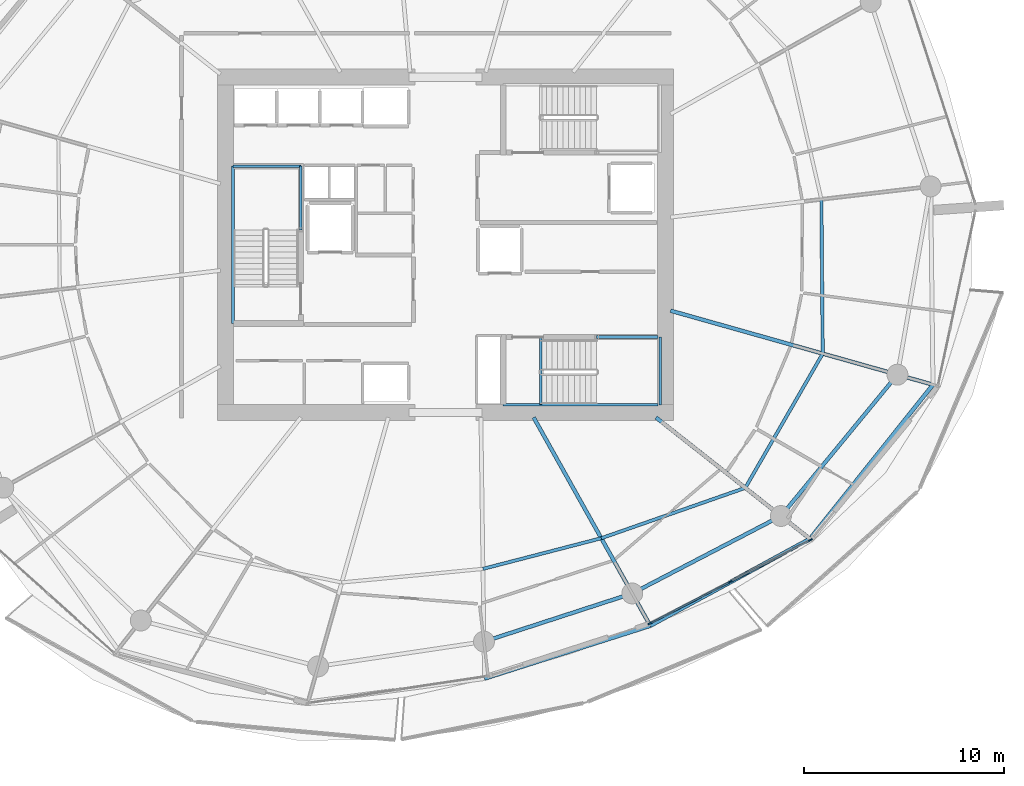
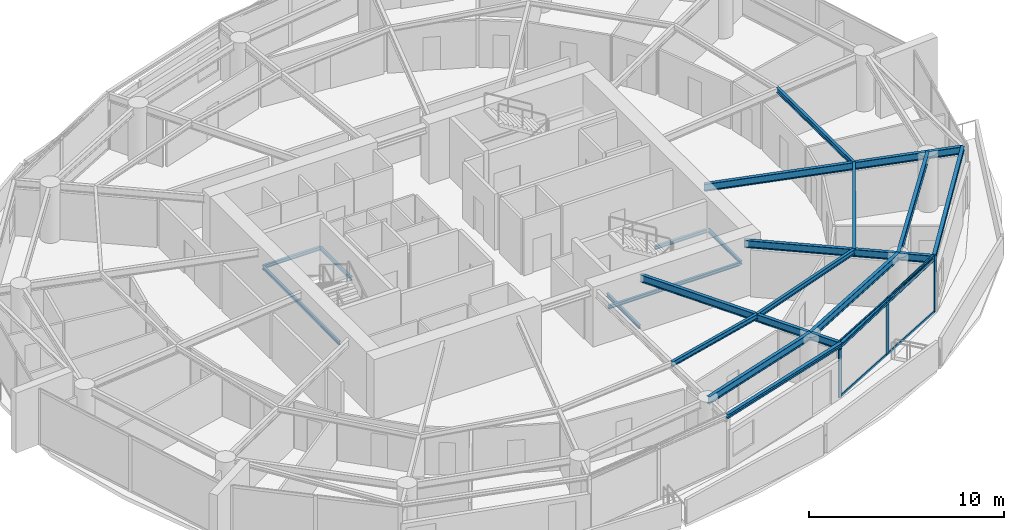
# One storey, part 6 of 20: 20 beams, 7 members, 1 element without a shape of its own.
"""IFC4 building model written with IfcOpenShell, lengths in metres."""

import ifcopenshell
import ifcopenshell.guid

model = None  # the IFC model being written
_history = None  # IfcOwnerHistory: only IFC2X3 demands one
_inside = {}  # id of a spatial element -> (the spatial element, [elements in it])
_under = {}  # id of a project, library or spatial element -> (it, [spatial elements below it])
_declared = {}  # id of a project -> (the project, [libraries it declares])
_typed = {}  # id of a type object -> (the type object, [elements of that type])
_made_of = {}  # id of a material, layer set ... -> (it, [elements and type objects made of it])


def new_model(schema):
    """Start an empty IFC model of exactly this schema.

    Asked for "IFC4X3", IfcOpenShell would pick the latest addendum, in which some entities
    have other attributes; the version numbers below select the first issue.
    IFC2X3 requires an IfcOwnerHistory on every rooted entity: one is made here for all.
    """
    global model, _history
    if schema == "IFC4X3":
        model = ifcopenshell.file(schema_version=(4, 3, 0, 0))
    else:
        model = ifcopenshell.file(schema=schema)
    _inside.clear()
    _under.clear()
    _declared.clear()
    _typed.clear()
    _made_of.clear()
    _history = None
    if model.schema == "IFC2X3":
        org = make("IfcOrganization", Name="unknown")
        user = make(
            "IfcPersonAndOrganization",
            ThePerson=make("IfcPerson", FamilyName="unknown"),
            TheOrganization=org,
        )
        app = make(
            "IfcApplication",
            ApplicationDeveloper=org,
            Version="unknown",
            ApplicationFullName="unknown",
            ApplicationIdentifier="unknown",
        )
        _history = make(
            "IfcOwnerHistory",
            OwningUser=user,
            OwningApplication=app,
            ChangeAction="ADDED",
            CreationDate=0,
        )
    return model


def make(cls, **values):
    """One entity of the class cls with the attributes given. An attribute that is None is left unset."""
    return model.create_entity(
        cls, **{name: value for name, value in values.items() if value is not None}
    )


def rooted(cls, **values):
    """An entity with a GlobalId (a new one), such as an element, a storey or a relation."""
    return make(cls, GlobalId=ifcopenshell.guid.new(), OwnerHistory=_history, **values)


def si_unit(unit_type, name, prefix=None):
    """IfcSIUnit, for example si_unit("LENGTHUNIT", "METRE", prefix="MILLI")."""
    return make("IfcSIUnit", UnitType=unit_type, Prefix=prefix, Name=name)


def assignment(units):
    """IfcUnitAssignment: the units of a project."""
    return None if units is None else make("IfcUnitAssignment", Units=units)


def point(xyz):
    """IfcCartesianPoint."""
    return None if xyz is None else make("IfcCartesianPoint", Coordinates=xyz)


def direction(xyz):
    """IfcDirection."""
    return None if xyz is None else make("IfcDirection", DirectionRatios=xyz)


def frame(location, z_axis=None, x_axis=None):
    """IfcAxis2Placement3D, a coordinate frame: its origin and axes. An axis left out is left unset."""
    return make(
        "IfcAxis2Placement3D",
        Location=point(location),
        Axis=direction(z_axis),
        RefDirection=direction(x_axis),
    )


def frame_2d(location, x_axis=None):
    """IfcAxis2Placement2D, a coordinate frame in the plane: its origin and x axis."""
    return make(
        "IfcAxis2Placement2D", Location=point(location), RefDirection=direction(x_axis)
    )


def origin():
    """The frame at (0, 0, 0) with its axes left unset."""
    return frame((0.0, 0.0, 0.0))


def origin_2d():
    """The frame at (0, 0) in the plane with its x axis left unset."""
    return frame_2d((0.0, 0.0))


def place(relative_to, where):
    """IfcLocalPlacement: puts the frame where relative to a parent placement (None: the world)."""
    return make(
        "IfcLocalPlacement", PlacementRelTo=relative_to, RelativePlacement=where
    )


def context(
    kind, dimensions, precision=None, world=None, true_north=None, identifier=None
):
    """IfcGeometricRepresentationContext, for example the 3D "Model" context."""
    return make(
        "IfcGeometricRepresentationContext",
        ContextIdentifier=identifier,
        ContextType=kind,
        CoordinateSpaceDimension=dimensions,
        Precision=precision,
        WorldCoordinateSystem=world,
        TrueNorth=true_north,
    )


def subcontext(parent, identifier, kind, view, scale=None):
    """IfcGeometricRepresentationSubContext, for example "Body" below "Model"."""
    return make(
        "IfcGeometricRepresentationSubContext",
        ContextIdentifier=identifier,
        ContextType=kind,
        ParentContext=parent,
        TargetScale=scale,
        TargetView=view,
    )


def project(units=None, contexts=None):
    """IfcProject with its units and contexts."""
    return rooted(
        "IfcProject",
        Name="project",
        RepresentationContexts=contexts,
        UnitsInContext=assignment(units),
    )


def spatial(cls, under=None, at=None, **own):
    """A site, building, storey or space (cls), placed at a placement, below another one or the project."""
    s = rooted(cls, ObjectPlacement=at, **own)
    if under is not None:
        _under.setdefault(under.id(), (under, []))[1].append(s)
    return s


def profile(cls, at=None, kind="AREA", **sizes):
    """A parametric profile (cls). Its sizes go by their IFC names, for example OverallWidth=200.0."""
    return make(cls, ProfileType=kind, Position=at, **sizes)


def rectangle(**sizes):
    """IfcRectangleProfileDef."""
    return profile("IfcRectangleProfileDef", **sizes)


def i_section(**sizes):
    """IfcIShapeProfileDef."""
    return profile("IfcIShapeProfileDef", **sizes)


def extrude(swept, where, along, depth):
    """IfcExtrudedAreaSolid: the profile swept, set in the frame where, extruded along a direction by depth."""
    return make(
        "IfcExtrudedAreaSolid",
        SweptArea=swept,
        Position=where,
        ExtrudedDirection=direction(along),
        Depth=depth,
    )


def shape(context_of_items, identifier, shape_type, items):
    """IfcShapeRepresentation: the items that make up one representation, for example the "Body"."""
    return make(
        "IfcShapeRepresentation",
        ContextOfItems=context_of_items,
        RepresentationIdentifier=identifier,
        RepresentationType=shape_type,
        Items=items,
    )


def material(Name=None, Category=None):
    """IfcMaterial."""
    return make("IfcMaterial", Name=Name, Category=Category)


def layer(
    of_material, thickness, ventilated=None, Name=None, Category=None, Priority=None
):
    """IfcMaterialLayer: one layer of a wall or slab, of a material (None: an air gap)."""
    return make(
        "IfcMaterialLayer",
        Material=of_material,
        LayerThickness=thickness,
        IsVentilated=ventilated,
        Name=Name,
        Category=Category,
        Priority=Priority,
    )


def layer_set(layers, Name=None):
    """IfcMaterialLayerSet."""
    return make("IfcMaterialLayerSet", MaterialLayers=layers, LayerSetName=Name)


def material_profile(
    of_material, cross_section, Name=None, Category=None, Priority=None
):
    """IfcMaterialProfile: a cross section and its material."""
    return make(
        "IfcMaterialProfile",
        Name=Name,
        Material=of_material,
        Profile=cross_section,
        Priority=Priority,
        Category=Category,
    )


def profile_set(profiles, Name=None, composite=None):
    """IfcMaterialProfileSet."""
    return make(
        "IfcMaterialProfileSet",
        Name=Name,
        MaterialProfiles=profiles,
        CompositeProfile=composite,
    )


def made_of(thing, what):
    """Note that an element or type object is made of a material, layer set ...; save() writes the relation."""
    if what is not None:
        _made_of.setdefault(what.id(), (what, []))[1].append(thing)
    return thing


def type_object(cls, material=None, **own):
    """A type object (cls), such as IfcWallType, which elements share."""
    return made_of(rooted(cls, **own), material)


def element(
    cls,
    number,
    at=None,
    inside=None,
    cuts=None,
    type_object=None,
    material=None,
    context=None,
    identifier="Body",
    shape_type=None,
    held_by="IfcProductDefinitionShape",
    body=None,
    shapes=None,
    **own,
):
    """One element of the class cls, such as IfcWall. Its Tag is "e" and its number.

    at: its placement. inside: the storey or other place that contains it. cuts: it is an
    opening in that element (IfcRelVoidsElement). A single representation is given by context,
    identifier, shape_type and body (its items); several are given by shapes. held_by: the class
    of the entity that holds the representations. save() writes the other relations.
    """
    e = rooted(cls, Tag="e%d" % number, ObjectPlacement=at, **own)
    if body is not None:
        shapes = [shape(context, identifier, shape_type, body)]
    if shapes is not None:
        e.Representation = make(held_by, Representations=shapes)
    if inside is not None:
        _inside.setdefault(inside.id(), (inside, []))[1].append(e)
    if cuts is not None:
        rooted(
            "IfcRelVoidsElement", RelatingBuildingElement=cuts, RelatedOpeningElement=e
        )
    if type_object is not None:
        _typed.setdefault(type_object.id(), (type_object, []))[1].append(e)
    return made_of(e, material)


def aggregate(whole, parts):
    """IfcRelAggregates: a whole, such as a stair, and the parts it consists of."""
    return rooted("IfcRelAggregates", RelatingObject=whole, RelatedObjects=parts)


def save(model, path):
    """Write the relations noted so far, then the file.

    IfcRelAggregates (storeys below a building ...), IfcRelContainedInSpatialStructure (elements
    in a storey), IfcRelDefinesByType, IfcRelAssociatesMaterial and IfcRelDeclares: one each for
    every whole, place, type object, material and project.
    """
    for whole, parts in _under.values():
        aggregate(whole, parts)
    for where, things in _inside.values():
        rooted(
            "IfcRelContainedInSpatialStructure",
            RelatedElements=things,
            RelatingStructure=where,
        )
    for kind, things in _typed.values():
        rooted("IfcRelDefinesByType", RelatedObjects=things, RelatingType=kind)
    for what, things in _made_of.values():
        rooted("IfcRelAssociatesMaterial", RelatedObjects=things, RelatingMaterial=what)
    for by, libraries in _declared.values():
        rooted("IfcRelDeclares", RelatingContext=by, RelatedDefinitions=libraries)
    model.write(path)


model = new_model("IFC4")

# Units and contexts
model_context = context("Model", 3, precision=1e-05, world=origin(), true_north=direction((0.0, 1.0)))
body_context = subcontext(model_context, "Body", "Model", "MODEL_VIEW")
ifc_project = project(units=[si_unit("LENGTHUNIT", "METRE"), si_unit("AREAUNIT", "SQUARE_METRE"), si_unit("VOLUMEUNIT", "CUBIC_METRE"), si_unit("PLANEANGLEUNIT", "RADIAN"), si_unit("MASSUNIT", "GRAM", prefix="KILO")], contexts=[model_context])

# Site, building, storey
site_placement = place(None, origin())
site = spatial("IfcSite", under=ifc_project, at=site_placement, CompositionType="ELEMENT")
building_placement = place(site_placement, origin())
building = spatial("IfcBuilding", under=site, at=building_placement, Name="Kazma Halo Residences", CompositionType="ELEMENT")
storey_placement = place(building_placement, frame((0.0, 0.0, 135.300048828125)))
storey = spatial("IfcBuildingStorey", under=building, at=storey_placement, Name="L33", CompositionType="ELEMENT", Elevation=135.300048828125)

# Beams
ifc_material_1 = material(Name="Steel S355", Category="steel")
ifc_material_profile_1 = material_profile(ifc_material_1, i_section(OverallWidth=0.201904296875, OverallDepth=0.2470703125, WebThickness=0.00732421875, FlangeThickness=0.010986328125, FilletRadius=0.011962890625, at=origin_2d()), Name="W250x49.1")
ifc_profile_set_1 = profile_set([ifc_material_profile_1], Name="Steel S355")
beam_type_1 = type_object("IfcBeamType", Name="BM-BAL-CANT", PredefinedType="BEAM", material=ifc_profile_set_1)
beam_1_placement = place(storey_placement, frame((50.37841796875, 20.269287109375, 3.37646484375), z_axis=(0.952724066304, 0.303836886315, 0.0), x_axis=(-0.303836886315, 0.952724066304, 0.0)))
element("IfcBeam", 1, at=beam_1_placement, inside=storey, type_object=beam_type_1, Name="L33 wave-balcony tie beam 12", PredefinedType="BEAM", context=body_context, shape_type="SweptSolid", body=[
    extrude(i_section(OverallWidth=0.201904296875, OverallDepth=0.2470703125, WebThickness=0.00732421875, FlangeThickness=0.010986328125, FilletRadius=0.011962890625, at=origin_2d()), origin(), (0.0, 0.0, 1.0), 8.719970703125),
])
beam_2_placement = place(storey_placement, frame((58.68603515625, 22.918701171875, 3.37646484375), z_axis=(0.878572913315, 0.477608245312, 0.0), x_axis=(-0.477608245312, 0.878572913315, 0.0)))
element("IfcBeam", 2, at=beam_2_placement, inside=storey, type_object=beam_type_1, Name="L33 wave-balcony tie beam 13", PredefinedType="BEAM", context=body_context, shape_type="SweptSolid", body=[
    extrude(i_section(OverallWidth=0.201904296875, OverallDepth=0.2470703125, WebThickness=0.00732421875, FlangeThickness=0.010986328125, FilletRadius=0.011962890625, at=origin_2d()), origin(), (0.0, 0.0, 1.0), 9.107177734375),
])
beam_3_placement = place(storey_placement, frame((66.687255859375, 27.268310546875, 3.37646484375), z_axis=(0.623742400336, 0.781629975131, 0.0), x_axis=(-0.781629975131, 0.623742400336, 0.0)))
element("IfcBeam", 3, at=beam_3_placement, inside=storey, type_object=beam_type_1, Name="L33 wave-balcony tie beam 14", PredefinedType="BEAM", context=body_context, shape_type="SweptSolid", body=[
    extrude(i_section(OverallWidth=0.201904296875, OverallDepth=0.2470703125, WebThickness=0.00732421875, FlangeThickness=0.010986328125, FilletRadius=0.011962890625, at=origin_2d()), origin(), (0.0, 0.0, 1.0), 9.880859375),
])
ifc_material_profile_2 = material_profile(ifc_material_1, i_section(OverallWidth=0.18994140625, OverallDepth=0.45703125, WebThickness=0.009033203125, FlangeThickness=0.014404296875, FilletRadius=0.01611328125, at=origin_2d()), Name="W460x74")
ifc_profile_set_2 = profile_set([ifc_material_profile_2], Name="Steel S355")
beam_type_2 = type_object("IfcBeamType", Name="BM-RAD-W460", PredefinedType="BEAM", material=ifc_profile_set_2)
beam_4_placement = place(storey_placement, frame((52.84423828125, 33.35009765625, 3.271484375), z_axis=(0.488617048735, -0.872498355119, 0.0), x_axis=(0.872498355119, 0.488617048735, 0.0)))
element("IfcBeam", 4, at=beam_4_placement, inside=storey, type_object=beam_type_2, Name="L33 radial floor beam 13", PredefinedType="BEAM", context=body_context, shape_type="SweptSolid", body=[
    extrude(i_section(OverallWidth=0.18994140625, OverallDepth=0.45703125, WebThickness=0.009033203125, FlangeThickness=0.014404296875, FilletRadius=0.01611328125, at=origin_2d()), origin(), (0.0, 0.0, 1.0), 11.955810546875),
])
beam_5_placement = place(storey_placement, frame((58.972412109375, 33.35009765625, 3.271484375), z_axis=(0.785322142498, -0.619087338347, 0.0), x_axis=(0.619087338347, 0.785322142498, 0.0)))
element("IfcBeam", 5, at=beam_5_placement, inside=storey, type_object=beam_type_2, Name="L33 radial floor beam 14", PredefinedType="BEAM", context=body_context, shape_type="SweptSolid", body=[
    extrude(i_section(OverallWidth=0.18994140625, OverallDepth=0.45703125, WebThickness=0.009033203125, FlangeThickness=0.014404296875, FilletRadius=0.01611328125, at=origin_2d()), origin(), (0.0, 0.0, 1.0), 9.82373046875),
])
beam_6_placement = place(storey_placement, frame((59.699951171875, 38.7001953125, 3.271484375), z_axis=(0.962456259321, -0.271436823024, 0.0), x_axis=(0.271436823024, 0.962456259321, 0.0)))
element("IfcBeam", 6, at=beam_6_placement, inside=storey, type_object=beam_type_2, Name="L33 radial floor beam 15", PredefinedType="BEAM", context=body_context, shape_type="SweptSolid", body=[
    extrude(i_section(OverallWidth=0.18994140625, OverallDepth=0.45703125, WebThickness=0.009033203125, FlangeThickness=0.014404296875, FilletRadius=0.01611328125, at=origin_2d()), origin(), (0.0, 0.0, 1.0), 13.663330078125),
])
ifc_material_profile_3 = material_profile(ifc_material_1, i_section(OverallWidth=0.1650390625, OverallDepth=0.31005859375, WebThickness=0.005859375, FlangeThickness=0.009765625, FilletRadius=0.011962890625, at=origin_2d()), Name="W310x38.7")
ifc_profile_set_3 = profile_set([ifc_material_profile_3], Name="Steel S355")
beam_type_3 = type_object("IfcBeamType", Name="BM-SEC-W310B", PredefinedType="JOIST", material=ifc_profile_set_3)
beam_7_placement = place(storey_placement, frame((50.303466796875, 25.76318359375, 3.344970703125), z_axis=(0.968017337658, 0.250883307524, 0.0), x_axis=(-0.250883307524, 0.968017337658, 0.0)))
element("IfcBeam", 7, at=beam_7_placement, inside=storey, type_object=beam_type_3, Name="L33 circumferential floor joist 12", PredefinedType="JOIST", context=body_context, shape_type="SweptSolid", body=[
    extrude(i_section(OverallWidth=0.1650390625, OverallDepth=0.31005859375, WebThickness=0.005859375, FlangeThickness=0.009765625, FilletRadius=0.011962890625, at=origin_2d()), origin(), (0.0, 0.0, 1.0), 6.124755859375),
])
beam_8_placement = place(storey_placement, frame((56.232421875, 27.2998046875, 3.344970703125), z_axis=(0.943956421223, 0.330070105935, 0.0), x_axis=(-0.330070105935, 0.943956421223, 0.0)))
element("IfcBeam", 8, at=beam_8_placement, inside=storey, type_object=beam_type_3, Name="L33 circumferential floor joist 13", PredefinedType="JOIST", context=body_context, shape_type="SweptSolid", body=[
    extrude(i_section(OverallWidth=0.1650390625, OverallDepth=0.31005859375, WebThickness=0.005859375, FlangeThickness=0.009765625, FilletRadius=0.011962890625, at=origin_2d()), origin(), (0.0, 0.0, 1.0), 7.642822265625),
])
beam_9_placement = place(storey_placement, frame((63.447021484375, 29.822509765625, 3.344970703125), z_axis=(0.499666203496, 0.866218035533, 0.0), x_axis=(-0.866218035533, 0.499666203496, 0.0)))
element("IfcBeam", 9, at=beam_9_placement, inside=storey, type_object=beam_type_3, Name="L33 circumferential floor joist 14", PredefinedType="JOIST", context=body_context, shape_type="SweptSolid", body=[
    extrude(i_section(OverallWidth=0.1650390625, OverallDepth=0.31005859375, WebThickness=0.005859375, FlangeThickness=0.009765625, FilletRadius=0.011962890625, at=origin_2d()), origin(), (0.0, 0.0, 1.0), 7.765380859375),
])
beam_10_placement = place(storey_placement, frame((67.3271484375, 36.549072265625, 3.344970703125), z_axis=(-0.008779348348, 0.999961460779, 0.0), x_axis=(-0.999961460779, -0.008779348348, 0.0)))
element("IfcBeam", 10, at=beam_10_placement, inside=storey, type_object=beam_type_3, Name="L33 circumferential floor joist 15", PredefinedType="JOIST", context=body_context, shape_type="SweptSolid", body=[
    extrude(i_section(OverallWidth=0.1650390625, OverallDepth=0.31005859375, WebThickness=0.005859375, FlangeThickness=0.009765625, FilletRadius=0.011962890625, at=origin_2d()), origin(), (0.0, 0.0, 1.0), 7.730712890625),
])
ifc_material_profile_4 = material_profile(ifc_material_1, i_section(OverallWidth=0.18994140625, OverallDepth=0.45703125, WebThickness=0.009033203125, FlangeThickness=0.014404296875, FilletRadius=0.01611328125, at=origin_2d()), Name="W460x74")
ifc_profile_set_4 = profile_set([ifc_material_profile_4], Name="Steel S355")
beam_type_4 = type_object("IfcBeamType", Name="BM-SPN-W460", PredefinedType="BEAM", material=ifc_profile_set_4)
beam_11_placement = place(storey_placement, frame((50.35302734375, 22.118896484375, 3.271484375), z_axis=(0.95105634578, 0.309017519167, 0.0), x_axis=(-0.309017519167, 0.95105634578, 0.0)))
element("IfcBeam", 11, at=beam_11_placement, inside=storey, type_object=beam_type_4, Name="L33 perimeter ring beam 12", PredefinedType="BEAM", context=body_context, shape_type="SweptSolid", body=[
    extrude(i_section(OverallWidth=0.18994140625, OverallDepth=0.45703125, WebThickness=0.009033203125, FlangeThickness=0.014404296875, FilletRadius=0.01611328125, at=origin_2d()), origin(), (0.0, 0.0, 1.0), 7.811279296875),
])
beam_12_placement = place(storey_placement, frame((57.781982421875, 24.53271484375, 3.271484375), z_axis=(0.886943099021, 0.461878706046, 0.0), x_axis=(-0.461878706046, 0.886943099021, 0.0)))
element("IfcBeam", 12, at=beam_12_placement, inside=storey, type_object=beam_type_4, Name="L33 perimeter ring beam 13", PredefinedType="BEAM", context=body_context, shape_type="SweptSolid", body=[
    extrude(i_section(OverallWidth=0.18994140625, OverallDepth=0.45703125, WebThickness=0.009033203125, FlangeThickness=0.014404296875, FilletRadius=0.01611328125, at=origin_2d()), origin(), (0.0, 0.0, 1.0), 8.40234375),
])
beam_13_placement = place(storey_placement, frame((65.234375, 28.41357421875, 3.271484375), z_axis=(0.636018723515, 0.771673624882, 0.0), x_axis=(-0.771673624882, 0.636018723515, 0.0)))
element("IfcBeam", 13, at=beam_13_placement, inside=storey, type_object=beam_type_4, Name="L33 perimeter ring beam 14", PredefinedType="BEAM", context=body_context, shape_type="SweptSolid", body=[
    extrude(i_section(OverallWidth=0.18994140625, OverallDepth=0.45703125, WebThickness=0.009033203125, FlangeThickness=0.014404296875, FilletRadius=0.01611328125, at=origin_2d()), origin(), (0.0, 0.0, 1.0), 9.175048828125),
])
ifc_material_profile_5 = material_profile(ifc_material_1, i_section(OverallWidth=0.133056640625, OverallDepth=0.20703125, WebThickness=0.005859375, FlangeThickness=0.00830078125, FilletRadius=0.010009765625, at=origin_2d()), Name="W200x26.6")
ifc_profile_set_5 = profile_set([ifc_material_profile_5], Name="Steel S355")
beam_type_5 = type_object("IfcBeamType", Name="BM-TRIM-W200", PredefinedType="BEAM", material=ifc_profile_set_5)
beam_14_placement = place(storey_placement, frame((53.199951171875, 34.0, -0.360107421875), z_axis=(0.0, 1.0, 0.0), x_axis=(-1.0, 0.0, 0.0)))
element("IfcBeam", 14, at=beam_14_placement, inside=storey, type_object=beam_type_5, Name="L33 ST-03 floor landing support beam", PredefinedType="BEAM", context=body_context, shape_type="SweptSolid", body=[
    extrude(i_section(OverallWidth=0.133056640625, OverallDepth=0.20703125, WebThickness=0.005859375, FlangeThickness=0.00830078125, FilletRadius=0.010009765625, at=origin_2d()), origin(), (0.0, 0.0, 1.0), 3.3798828125),
])
beam_15_placement = place(storey_placement, frame((37.780029296875, 38.06005859375, 1.570068359375), z_axis=(0.0, 1.0, 0.0), x_axis=(-1.0, 0.0, 0.0)))
element("IfcBeam", 15, at=beam_15_placement, inside=storey, type_object=beam_type_5, Name="L33 ST-01 landing west wall ledger", PredefinedType="BEAM", context=body_context, shape_type="SweptSolid", body=[
    extrude(i_section(OverallWidth=0.133056640625, OverallDepth=0.20703125, WebThickness=0.005859375, FlangeThickness=0.00830078125, FilletRadius=0.010009765625, at=origin_2d()), origin(), (0.0, 0.0, 1.0), 7.8798828125),
])
beam_16_placement = place(storey_placement, frame((41.179931640625, 42.75, 1.570068359375), z_axis=(0.0, 1.0, 0.0), x_axis=(-1.0, 0.0, 0.0)))
element("IfcBeam", 16, at=beam_16_placement, inside=storey, type_object=beam_type_5, Name="L33 ST-01 landing east wall ledger", PredefinedType="BEAM", context=body_context, shape_type="SweptSolid", body=[
    extrude(i_section(OverallWidth=0.133056640625, OverallDepth=0.20703125, WebThickness=0.005859375, FlangeThickness=0.00830078125, FilletRadius=0.010009765625, at=origin_2d()), origin(), (0.0, 0.0, 1.0), 3.18994140625),
])
beam_17_placement = place(storey_placement, frame((37.780029296875, 45.93994140625, 1.570068359375), z_axis=(1.0, 0.0, 0.0), x_axis=(0.0, 1.0, 0.0)))
element("IfcBeam", 17, at=beam_17_placement, inside=storey, type_object=beam_type_5, Name="L33 ST-01 landing end wall ledger", PredefinedType="BEAM", context=body_context, shape_type="SweptSolid", body=[
    extrude(i_section(OverallWidth=0.133056640625, OverallDepth=0.20703125, WebThickness=0.005859375, FlangeThickness=0.00830078125, FilletRadius=0.010009765625, at=origin_2d()), origin(), (0.0, 0.0, 1.0), 3.39990234375),
])
beam_18_placement = place(storey_placement, frame((51.31005859375, 33.97998046875, 1.570068359375), z_axis=(1.0, 0.0, 0.0), x_axis=(0.0, 1.0, 0.0)))
element("IfcBeam", 18, at=beam_18_placement, inside=storey, type_object=beam_type_5, Name="L33 ST-03 landing south wall ledger", PredefinedType="BEAM", context=body_context, shape_type="SweptSolid", body=[
    extrude(i_section(OverallWidth=0.133056640625, OverallDepth=0.20703125, WebThickness=0.005859375, FlangeThickness=0.00830078125, FilletRadius=0.010009765625, at=origin_2d()), origin(), (0.0, 0.0, 1.0), 7.760009765625),
])
beam_19_placement = place(storey_placement, frame((56.0, 37.3798828125, 1.570068359375), z_axis=(1.0, 0.0, 0.0), x_axis=(0.0, 1.0, 0.0)))
element("IfcBeam", 19, at=beam_19_placement, inside=storey, type_object=beam_type_5, Name="L33 ST-03 landing north wall ledger", PredefinedType="BEAM", context=body_context, shape_type="SweptSolid", body=[
    extrude(i_section(OverallWidth=0.133056640625, OverallDepth=0.20703125, WebThickness=0.005859375, FlangeThickness=0.00830078125, FilletRadius=0.010009765625, at=origin_2d()), origin(), (0.0, 0.0, 1.0), 3.070068359375),
])
beam_20_placement = place(storey_placement, frame((59.18994140625, 33.97998046875, 1.570068359375), z_axis=(0.0, 1.0, 0.0), x_axis=(-1.0, 0.0, 0.0)))
element("IfcBeam", 20, at=beam_20_placement, inside=storey, type_object=beam_type_5, Name="L33 ST-03 landing end wall ledger", PredefinedType="BEAM", context=body_context, shape_type="SweptSolid", body=[
    extrude(i_section(OverallWidth=0.133056640625, OverallDepth=0.20703125, WebThickness=0.005859375, FlangeThickness=0.00830078125, FilletRadius=0.010009765625, at=origin_2d()), origin(), (0.0, 0.0, 1.0), 3.39990234375),
])

# Curtain wall, members
ifc_material_2 = material(Name="Aluminium AW-6063 T6 and Triple-Silver Low-E Glass", Category="aluminium")
ifc_layer = layer(ifc_material_2, 0.219970703125)
ifc_layer_set = layer_set([ifc_layer], Name="Aluminium AW-6063 T6 and Triple-Silver Low-E Glass")
curtain_wall_type = type_object("IfcCurtainWallType", Name="CW-SYS-4", PredefinedType="NOTDEFINED", material=ifc_layer_set)
curtain_wall_placement = place(storey_placement, origin())
curtain_wall = element("IfcCurtainWall", 21, at=curtain_wall_placement, inside=storey, type_object=curtain_wall_type, Name="L33 unitised curtain wall B13", PredefinedType="NOTDEFINED")
ifc_material_3 = material(Name="Aluminium AW-6063 T6", Category="aluminium")
ifc_material_profile_6 = material_profile(ifc_material_3, rectangle(XDim=0.074951171875, YDim=0.219970703125, at=origin_2d()), Name="CWM-75x220")
ifc_profile_set_6 = profile_set([ifc_material_profile_6], Name="Aluminium AW-6063 T6")
member_type_1 = type_object("IfcMemberType", Name="CW-SYS-4-MUL", PredefinedType="MULLION", material=ifc_profile_set_6)
member_1_placement = place(storey_placement, frame((58.66552734375, 23.0322265625, 0.0), z_axis=(0.0, 0.0, 1.0), x_axis=(-0.460837484552, 0.887484542306, 0.0)))
member_1 = element("IfcMember", 22, at=member_1_placement, type_object=member_type_1, Name="CWS-4 mullion 1", PredefinedType="MULLION", context=body_context, shape_type="SweptSolid", body=[
    extrude(rectangle(XDim=0.074951171875, YDim=0.219970703125, at=origin_2d()), origin(), (0.0, 0.0, 1.0), 3.5),
])
member_2_placement = place(storey_placement, frame((62.686767578125, 25.120361328125, 0.0), z_axis=(0.0, 0.0, 1.0), x_axis=(-0.460837484552, 0.887484542306, 0.0)))
member_2 = element("IfcMember", 23, at=member_2_placement, type_object=member_type_1, Name="CWS-4 mullion 2", PredefinedType="MULLION", context=body_context, shape_type="SweptSolid", body=[
    extrude(rectangle(XDim=0.074951171875, YDim=0.219970703125, at=origin_2d()), origin(), (0.0, 0.0, 1.0), 3.5),
])
member_3_placement = place(storey_placement, frame((66.7080078125, 27.208251953125, 0.0), z_axis=(0.0, 0.0, 1.0), x_axis=(-0.460837484552, 0.887484542306, 0.0)))
member_3 = element("IfcMember", 24, at=member_3_placement, type_object=member_type_1, Name="CWS-4 mullion 3", PredefinedType="MULLION", context=body_context, shape_type="SweptSolid", body=[
    extrude(rectangle(XDim=0.074951171875, YDim=0.219970703125, at=origin_2d()), origin(), (0.0, 0.0, 1.0), 3.5),
])
ifc_material_profile_7 = material_profile(ifc_material_3, rectangle(XDim=0.074951171875, YDim=0.1650390625, at=origin_2d()), Name="CWT-75x165")
ifc_profile_set_7 = profile_set([ifc_material_profile_7], Name="Aluminium AW-6063 T6")
member_type_2 = type_object("IfcMemberType", Name="CW-SYS-4-TRN", PredefinedType="USERDEFINED", material=ifc_profile_set_7)
member_4_placement = place(storey_placement, frame((58.69873046875, 23.049560546875, 0.037353515625), z_axis=(0.887484872803, 0.460836848077, 0.0), x_axis=(-0.460836848077, 0.887484872803, 0.0)))
member_4 = element("IfcMember", 25, at=member_4_placement, type_object=member_type_2, Name="CWS-4 transom 1.1", ObjectType="TRANSOM", PredefinedType="USERDEFINED", context=body_context, shape_type="SweptSolid", body=[
    extrude(rectangle(XDim=0.074951171875, YDim=0.1650390625, at=origin_2d()), origin(), (0.0, 0.0, 1.0), 4.4560546875),
])
member_5_placement = place(storey_placement, frame((58.69873046875, 23.049560546875, 3.46240234375), z_axis=(0.887484872803, 0.460836848077, 0.0), x_axis=(-0.460836848077, 0.887484872803, 0.0)))
member_5 = element("IfcMember", 26, at=member_5_placement, type_object=member_type_2, Name="CWS-4 transom 1.2", ObjectType="TRANSOM", PredefinedType="USERDEFINED", context=body_context, shape_type="SweptSolid", body=[
    extrude(rectangle(XDim=0.074951171875, YDim=0.1650390625, at=origin_2d()), origin(), (0.0, 0.0, 1.0), 4.4560546875),
])
member_6_placement = place(storey_placement, frame((62.719970703125, 25.137451171875, 0.037353515625), z_axis=(0.887484872803, 0.460836848077, 0.0), x_axis=(-0.460836848077, 0.887484872803, 0.0)))
member_6 = element("IfcMember", 27, at=member_6_placement, type_object=member_type_2, Name="CWS-4 transom 2.1", ObjectType="TRANSOM", PredefinedType="USERDEFINED", context=body_context, shape_type="SweptSolid", body=[
    extrude(rectangle(XDim=0.074951171875, YDim=0.1650390625, at=origin_2d()), origin(), (0.0, 0.0, 1.0), 4.4560546875),
])
member_7_placement = place(storey_placement, frame((62.719970703125, 25.137451171875, 3.46240234375), z_axis=(0.887484872803, 0.460836848077, 0.0), x_axis=(-0.460836848077, 0.887484872803, 0.0)))
member_7 = element("IfcMember", 28, at=member_7_placement, type_object=member_type_2, Name="CWS-4 transom 2.2", ObjectType="TRANSOM", PredefinedType="USERDEFINED", context=body_context, shape_type="SweptSolid", body=[
    extrude(rectangle(XDim=0.074951171875, YDim=0.1650390625, at=origin_2d()), origin(), (0.0, 0.0, 1.0), 4.4560546875),
])
aggregate(curtain_wall, [member_1, member_2, member_3, member_4, member_5, member_6, member_7])

save(model, "model.ifc")
